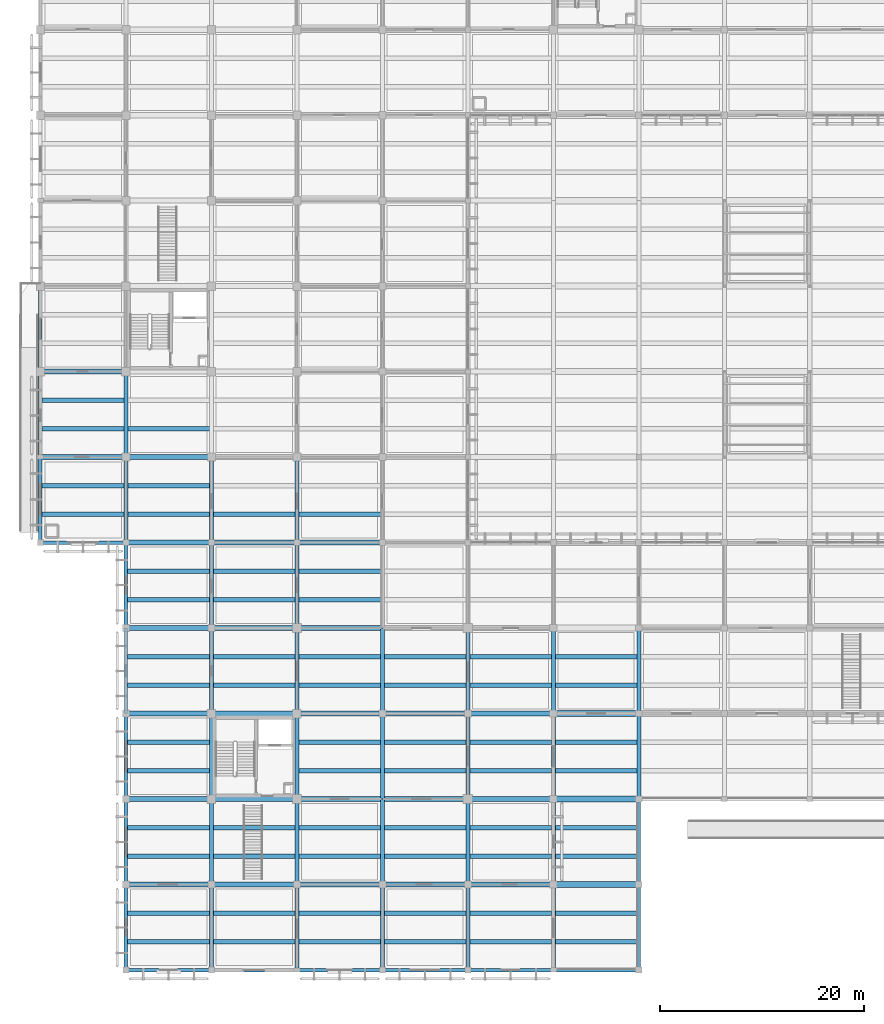
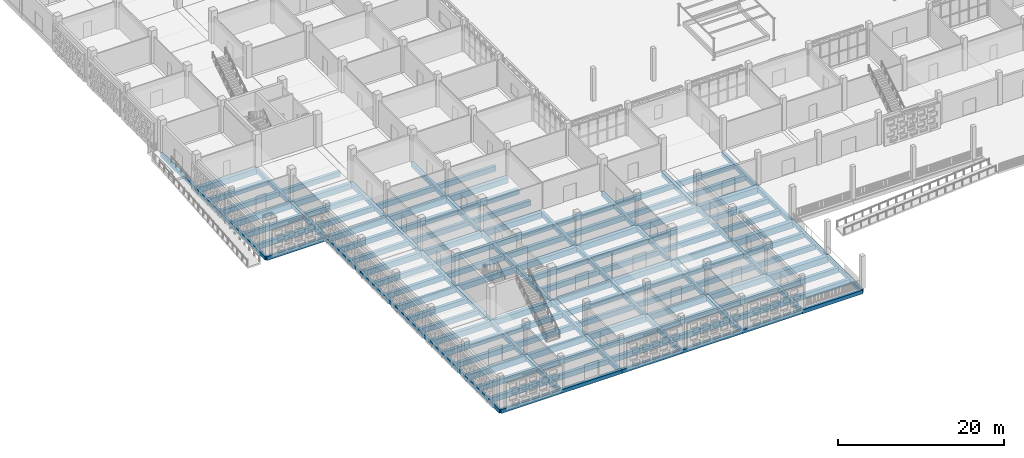
# One storey, part 4 of 129: 133 beams.
"""IFC4 building model written with IfcOpenShell, lengths in metres."""

import ifcopenshell
import ifcopenshell.guid

model = None  # the IFC model being written
_history = None  # IfcOwnerHistory: only IFC2X3 demands one
_inside = {}  # id of a spatial element -> (the spatial element, [elements in it])
_under = {}  # id of a project, library or spatial element -> (it, [spatial elements below it])
_declared = {}  # id of a project -> (the project, [libraries it declares])
_typed = {}  # id of a type object -> (the type object, [elements of that type])
_made_of = {}  # id of a material, layer set ... -> (it, [elements and type objects made of it])


def new_model(schema):
    """Start an empty IFC model of exactly this schema.

    Asked for "IFC4X3", IfcOpenShell would pick the latest addendum, in which some entities
    have other attributes; the version numbers below select the first issue.
    IFC2X3 requires an IfcOwnerHistory on every rooted entity: one is made here for all.
    """
    global model, _history
    if schema == "IFC4X3":
        model = ifcopenshell.file(schema_version=(4, 3, 0, 0))
    else:
        model = ifcopenshell.file(schema=schema)
    _inside.clear()
    _under.clear()
    _declared.clear()
    _typed.clear()
    _made_of.clear()
    _history = None
    if model.schema == "IFC2X3":
        org = make("IfcOrganization", Name="unknown")
        user = make(
            "IfcPersonAndOrganization",
            ThePerson=make("IfcPerson", FamilyName="unknown"),
            TheOrganization=org,
        )
        app = make(
            "IfcApplication",
            ApplicationDeveloper=org,
            Version="unknown",
            ApplicationFullName="unknown",
            ApplicationIdentifier="unknown",
        )
        _history = make(
            "IfcOwnerHistory",
            OwningUser=user,
            OwningApplication=app,
            ChangeAction="ADDED",
            CreationDate=0,
        )
    return model


def make(cls, **values):
    """One entity of the class cls with the attributes given. An attribute that is None is left unset."""
    return model.create_entity(
        cls, **{name: value for name, value in values.items() if value is not None}
    )


def rooted(cls, **values):
    """An entity with a GlobalId (a new one), such as an element, a storey or a relation."""
    return make(cls, GlobalId=ifcopenshell.guid.new(), OwnerHistory=_history, **values)


def si_unit(unit_type, name, prefix=None):
    """IfcSIUnit, for example si_unit("LENGTHUNIT", "METRE", prefix="MILLI")."""
    return make("IfcSIUnit", UnitType=unit_type, Prefix=prefix, Name=name)


def assignment(units):
    """IfcUnitAssignment: the units of a project."""
    return None if units is None else make("IfcUnitAssignment", Units=units)


def point(xyz):
    """IfcCartesianPoint."""
    return None if xyz is None else make("IfcCartesianPoint", Coordinates=xyz)


def direction(xyz):
    """IfcDirection."""
    return None if xyz is None else make("IfcDirection", DirectionRatios=xyz)


def frame(location, z_axis=None, x_axis=None):
    """IfcAxis2Placement3D, a coordinate frame: its origin and axes. An axis left out is left unset."""
    return make(
        "IfcAxis2Placement3D",
        Location=point(location),
        Axis=direction(z_axis),
        RefDirection=direction(x_axis),
    )


def frame_2d(location, x_axis=None):
    """IfcAxis2Placement2D, a coordinate frame in the plane: its origin and x axis."""
    return make(
        "IfcAxis2Placement2D", Location=point(location), RefDirection=direction(x_axis)
    )


def origin():
    """The frame at (0, 0, 0) with its axes left unset."""
    return frame((0.0, 0.0, 0.0))


def origin_2d():
    """The frame at (0, 0) in the plane with its x axis left unset."""
    return frame_2d((0.0, 0.0))


def place(relative_to, where):
    """IfcLocalPlacement: puts the frame where relative to a parent placement (None: the world)."""
    return make(
        "IfcLocalPlacement", PlacementRelTo=relative_to, RelativePlacement=where
    )


def context(
    kind, dimensions, precision=None, world=None, true_north=None, identifier=None
):
    """IfcGeometricRepresentationContext, for example the 3D "Model" context."""
    return make(
        "IfcGeometricRepresentationContext",
        ContextIdentifier=identifier,
        ContextType=kind,
        CoordinateSpaceDimension=dimensions,
        Precision=precision,
        WorldCoordinateSystem=world,
        TrueNorth=true_north,
    )


def subcontext(parent, identifier, kind, view, scale=None):
    """IfcGeometricRepresentationSubContext, for example "Body" below "Model"."""
    return make(
        "IfcGeometricRepresentationSubContext",
        ContextIdentifier=identifier,
        ContextType=kind,
        ParentContext=parent,
        TargetScale=scale,
        TargetView=view,
    )


def project(units=None, contexts=None):
    """IfcProject with its units and contexts."""
    return rooted(
        "IfcProject",
        Name="project",
        RepresentationContexts=contexts,
        UnitsInContext=assignment(units),
    )


def spatial(cls, under=None, at=None, **own):
    """A site, building, storey or space (cls), placed at a placement, below another one or the project."""
    s = rooted(cls, ObjectPlacement=at, **own)
    if under is not None:
        _under.setdefault(under.id(), (under, []))[1].append(s)
    return s


def profile(cls, at=None, kind="AREA", **sizes):
    """A parametric profile (cls). Its sizes go by their IFC names, for example OverallWidth=200.0."""
    return make(cls, ProfileType=kind, Position=at, **sizes)


def rectangle(**sizes):
    """IfcRectangleProfileDef."""
    return profile("IfcRectangleProfileDef", **sizes)


def extrude(swept, where, along, depth):
    """IfcExtrudedAreaSolid: the profile swept, set in the frame where, extruded along a direction by depth."""
    return make(
        "IfcExtrudedAreaSolid",
        SweptArea=swept,
        Position=where,
        ExtrudedDirection=direction(along),
        Depth=depth,
    )


def shape(context_of_items, identifier, shape_type, items):
    """IfcShapeRepresentation: the items that make up one representation, for example the "Body"."""
    return make(
        "IfcShapeRepresentation",
        ContextOfItems=context_of_items,
        RepresentationIdentifier=identifier,
        RepresentationType=shape_type,
        Items=items,
    )


def material(Name=None, Category=None):
    """IfcMaterial."""
    return make("IfcMaterial", Name=Name, Category=Category)


def material_profile(
    of_material, cross_section, Name=None, Category=None, Priority=None
):
    """IfcMaterialProfile: a cross section and its material."""
    return make(
        "IfcMaterialProfile",
        Name=Name,
        Material=of_material,
        Profile=cross_section,
        Priority=Priority,
        Category=Category,
    )


def profile_set(profiles, Name=None, composite=None):
    """IfcMaterialProfileSet."""
    return make(
        "IfcMaterialProfileSet",
        Name=Name,
        MaterialProfiles=profiles,
        CompositeProfile=composite,
    )


def made_of(thing, what):
    """Note that an element or type object is made of a material, layer set ...; save() writes the relation."""
    if what is not None:
        _made_of.setdefault(what.id(), (what, []))[1].append(thing)
    return thing


def type_object(cls, material=None, **own):
    """A type object (cls), such as IfcWallType, which elements share."""
    return made_of(rooted(cls, **own), material)


def element(
    cls,
    number,
    at=None,
    inside=None,
    cuts=None,
    type_object=None,
    material=None,
    context=None,
    identifier="Body",
    shape_type=None,
    held_by="IfcProductDefinitionShape",
    body=None,
    shapes=None,
    **own,
):
    """One element of the class cls, such as IfcWall. Its Tag is "e" and its number.

    at: its placement. inside: the storey or other place that contains it. cuts: it is an
    opening in that element (IfcRelVoidsElement). A single representation is given by context,
    identifier, shape_type and body (its items); several are given by shapes. held_by: the class
    of the entity that holds the representations. save() writes the other relations.
    """
    e = rooted(cls, Tag="e%d" % number, ObjectPlacement=at, **own)
    if body is not None:
        shapes = [shape(context, identifier, shape_type, body)]
    if shapes is not None:
        e.Representation = make(held_by, Representations=shapes)
    if inside is not None:
        _inside.setdefault(inside.id(), (inside, []))[1].append(e)
    if cuts is not None:
        rooted(
            "IfcRelVoidsElement", RelatingBuildingElement=cuts, RelatedOpeningElement=e
        )
    if type_object is not None:
        _typed.setdefault(type_object.id(), (type_object, []))[1].append(e)
    return made_of(e, material)


def aggregate(whole, parts):
    """IfcRelAggregates: a whole, such as a stair, and the parts it consists of."""
    return rooted("IfcRelAggregates", RelatingObject=whole, RelatedObjects=parts)


def save(model, path):
    """Write the relations noted so far, then the file.

    IfcRelAggregates (storeys below a building ...), IfcRelContainedInSpatialStructure (elements
    in a storey), IfcRelDefinesByType, IfcRelAssociatesMaterial and IfcRelDeclares: one each for
    every whole, place, type object, material and project.
    """
    for whole, parts in _under.values():
        aggregate(whole, parts)
    for where, things in _inside.values():
        rooted(
            "IfcRelContainedInSpatialStructure",
            RelatedElements=things,
            RelatingStructure=where,
        )
    for kind, things in _typed.values():
        rooted("IfcRelDefinesByType", RelatedObjects=things, RelatingType=kind)
    for what, things in _made_of.values():
        rooted("IfcRelAssociatesMaterial", RelatedObjects=things, RelatingMaterial=what)
    for by, libraries in _declared.values():
        rooted("IfcRelDeclares", RelatingContext=by, RelatedDefinitions=libraries)
    model.write(path)


model = new_model("IFC4")

# Units and contexts
model_context = context("Model", 3, precision=1e-05, world=origin(), true_north=direction((0.0, 1.0)))
body_context = subcontext(model_context, "Body", "Model", "MODEL_VIEW")
ifc_project = project(units=[si_unit("LENGTHUNIT", "METRE"), si_unit("AREAUNIT", "SQUARE_METRE"), si_unit("VOLUMEUNIT", "CUBIC_METRE"), si_unit("PLANEANGLEUNIT", "RADIAN"), si_unit("MASSUNIT", "GRAM", prefix="KILO")], contexts=[model_context])

# Site, building, storey
site_placement = place(None, origin())
site = spatial("IfcSite", under=ifc_project, at=site_placement, CompositionType="ELEMENT")
building_placement = place(site_placement, origin())
building = spatial("IfcBuilding", under=site, at=building_placement, Name="Varnapada Polytechnic", CompositionType="ELEMENT")
storey_placement = place(building_placement, origin())
storey = spatial("IfcBuildingStorey", under=building, at=storey_placement, Name="L00", CompositionType="ELEMENT", Elevation=0.0)

# Beams
ifc_material = material(Name="Concrete C40/50", Category="concrete")
ifc_material_profile_1 = material_profile(ifc_material, rectangle(XDim=0.449951171875, YDim=0.75, at=origin_2d()), Name="RC 450x750")
ifc_profile_set_1 = profile_set([ifc_material_profile_1], Name="Concrete C40/50")
beam_type_1 = type_object("IfcBeamType", Name="Basement/podium secondary beam BB-01 (RC 450x750)", PredefinedType="BEAM", material=ifc_profile_set_1)
for number, where, z_axis, x_axis, name in (
    (1, (0.080078125, 44.800048828125, -0.675048828125), (1.0, 0.0, 0.0), (0.0, 1.0, 0.0), "L00 floor joist 1/6.1"),
    (2, (0.080078125, 47.60009765625, -0.675048828125), (1.0, 0.0, 0.0), (0.0, 1.0, 0.0), "L00 floor joist 1/6.2"),
    (3, (0.080078125, 53.199951171875, -0.675048828125), (1.0, 0.0, 0.0), (0.0, 1.0, 0.0), "L00 floor joist 1/7.1"),
    (4, (0.080078125, 56.0, -0.675048828125), (1.0, 0.0, 0.0), (0.0, 1.0, 0.0), "L00 floor joist 1/7.2"),
    (5, (8.47998046875, 2.800048828125, -0.675048828125), (1.0, 0.0, 0.0), (0.0, 1.0, 0.0), "L00 floor joist 2/1.1"),
    (6, (8.47998046875, 5.60009765625, -0.675048828125), (1.0, 0.0, 0.0), (0.0, 1.0, 0.0), "L00 floor joist 2/1.2"),
    (7, (8.47998046875, 11.199951171875, -0.675048828125), (1.0, 0.0, 0.0), (0.0, 1.0, 0.0), "L00 floor joist 2/2.1"),
    (8, (8.47998046875, 14.0, -0.675048828125), (1.0, 0.0, 0.0), (0.0, 1.0, 0.0), "L00 floor joist 2/2.2"),
    (9, (8.47998046875, 19.60009765625, -0.675048828125), (1.0, 0.0, 0.0), (0.0, 1.0, 0.0), "L00 floor joist 2/3.1"),
    (10, (8.47998046875, 22.39990234375, -0.675048828125), (1.0, 0.0, 0.0), (0.0, 1.0, 0.0), "L00 floor joist 2/3.2"),
    (11, (8.47998046875, 28.0, -0.675048828125), (1.0, 0.0, 0.0), (0.0, 1.0, 0.0), "L00 floor joist 2/4.1"),
    (12, (8.47998046875, 30.800048828125, -0.675048828125), (1.0, 0.0, 0.0), (0.0, 1.0, 0.0), "L00 floor joist 2/4.2"),
    (13, (8.47998046875, 36.39990234375, -0.675048828125), (1.0, 0.0, 0.0), (0.0, 1.0, 0.0), "L00 floor joist 2/5.1"),
    (14, (8.47998046875, 39.199951171875, -0.675048828125), (1.0, 0.0, 0.0), (0.0, 1.0, 0.0), "L00 floor joist 2/5.2"),
    (15, (8.47998046875, 44.800048828125, -0.675048828125), (1.0, 0.0, 0.0), (0.0, 1.0, 0.0), "L00 floor joist 2/6.1"),
    (16, (8.47998046875, 47.60009765625, -0.675048828125), (1.0, 0.0, 0.0), (0.0, 1.0, 0.0), "L00 floor joist 2/6.2"),
    (17, (8.47998046875, 53.199951171875, -0.675048828125), (1.0, 0.0, 0.0), (0.0, 1.0, 0.0), "L00 floor joist 2/7.1"),
):
    element("IfcBeam", number, at=place(storey_placement, frame(where, z_axis=z_axis, x_axis=x_axis)), inside=storey, type_object=beam_type_1, Name=name, PredefinedType="BEAM", context=body_context, shape_type="SweptSolid", body=[
        extrude(rectangle(XDim=0.449951171875, YDim=0.75, at=origin_2d()), origin(), (0.0, 0.0, 1.0), 8.239990234375),
    ])
for number, where, z_axis, x_axis, name in (
    (18, (16.8798828125, 2.800048828125, -0.675048828125), (1.0, 0.0, 0.0), (0.0, 1.0, 0.0), "L00 floor joist 3/1.1"),
    (19, (16.8798828125, 5.60009765625, -0.675048828125), (1.0, 0.0, 0.0), (0.0, 1.0, 0.0), "L00 floor joist 3/1.2"),
    (20, (16.8798828125, 11.199951171875, -0.675048828125), (1.0, 0.0, 0.0), (0.0, 1.0, 0.0), "L00 floor joist 3/2.1"),
    (21, (16.8798828125, 14.0, -0.675048828125), (1.0, 0.0, 0.0), (0.0, 1.0, 0.0), "L00 floor joist 3/2.2"),
    (22, (16.8798828125, 28.0, -0.675048828125), (1.0, 0.0, 0.0), (0.0, 1.0, 0.0), "L00 floor joist 3/4.1"),
    (23, (16.8798828125, 30.800048828125, -0.675048828125), (1.0, 0.0, 0.0), (0.0, 1.0, 0.0), "L00 floor joist 3/4.2"),
    (24, (16.8798828125, 36.39990234375, -0.675048828125), (1.0, 0.0, 0.0), (0.0, 1.0, 0.0), "L00 floor joist 3/5.1"),
    (25, (16.8798828125, 39.199951171875, -0.675048828125), (1.0, 0.0, 0.0), (0.0, 1.0, 0.0), "L00 floor joist 3/5.2"),
    (26, (16.8798828125, 44.800048828125, -0.675048828125), (1.0, 0.0, 0.0), (0.0, 1.0, 0.0), "L00 floor joist 3/6.1"),
):
    element("IfcBeam", number, at=place(storey_placement, frame(where, z_axis=z_axis, x_axis=x_axis)), inside=storey, type_object=beam_type_1, Name=name, PredefinedType="BEAM", context=body_context, shape_type="SweptSolid", body=[
        extrude(rectangle(XDim=0.449951171875, YDim=0.75, at=origin_2d()), origin(), (0.0, 0.0, 1.0), 8.240234375),
    ])
for number, where, z_axis, x_axis, name in (
    (27, (25.280029296875, 2.800048828125, -0.675048828125), (1.0, 0.0, 0.0), (0.0, 1.0, 0.0), "L00 floor joist 4/1.1"),
    (28, (25.280029296875, 5.60009765625, -0.675048828125), (1.0, 0.0, 0.0), (0.0, 1.0, 0.0), "L00 floor joist 4/1.2"),
    (29, (25.280029296875, 11.199951171875, -0.675048828125), (1.0, 0.0, 0.0), (0.0, 1.0, 0.0), "L00 floor joist 4/2.1"),
    (30, (25.280029296875, 14.0, -0.675048828125), (1.0, 0.0, 0.0), (0.0, 1.0, 0.0), "L00 floor joist 4/2.2"),
    (31, (25.280029296875, 19.60009765625, -0.675048828125), (1.0, 0.0, 0.0), (0.0, 1.0, 0.0), "L00 floor joist 4/3.1"),
    (32, (25.280029296875, 22.39990234375, -0.675048828125), (1.0, 0.0, 0.0), (0.0, 1.0, 0.0), "L00 floor joist 4/3.2"),
    (33, (25.280029296875, 28.0, -0.675048828125), (1.0, 0.0, 0.0), (0.0, 1.0, 0.0), "L00 floor joist 4/4.1"),
    (34, (25.280029296875, 30.800048828125, -0.675048828125), (1.0, 0.0, 0.0), (0.0, 1.0, 0.0), "L00 floor joist 4/4.2"),
    (35, (25.280029296875, 36.39990234375, -0.675048828125), (1.0, 0.0, 0.0), (0.0, 1.0, 0.0), "L00 floor joist 4/5.1"),
    (36, (25.280029296875, 39.199951171875, -0.675048828125), (1.0, 0.0, 0.0), (0.0, 1.0, 0.0), "L00 floor joist 4/5.2"),
    (37, (25.280029296875, 44.800048828125, -0.675048828125), (1.0, 0.0, 0.0), (0.0, 1.0, 0.0), "L00 floor joist 4/6.1"),
    (38, (33.679931640625, 2.800048828125, -0.675048828125), (1.0, 0.0, 0.0), (0.0, 1.0, 0.0), "L00 floor joist 5/1.1"),
    (39, (33.679931640625, 5.60009765625, -0.675048828125), (1.0, 0.0, 0.0), (0.0, 1.0, 0.0), "L00 floor joist 5/1.2"),
    (40, (33.679931640625, 11.199951171875, -0.675048828125), (1.0, 0.0, 0.0), (0.0, 1.0, 0.0), "L00 floor joist 5/2.1"),
    (41, (33.679931640625, 14.0, -0.675048828125), (1.0, 0.0, 0.0), (0.0, 1.0, 0.0), "L00 floor joist 5/2.2"),
    (42, (33.679931640625, 19.60009765625, -0.675048828125), (1.0, 0.0, 0.0), (0.0, 1.0, 0.0), "L00 floor joist 5/3.1"),
    (43, (33.679931640625, 22.39990234375, -0.675048828125), (1.0, 0.0, 0.0), (0.0, 1.0, 0.0), "L00 floor joist 5/3.2"),
    (44, (33.679931640625, 28.0, -0.675048828125), (1.0, 0.0, 0.0), (0.0, 1.0, 0.0), "L00 floor joist 5/4.1"),
    (45, (33.679931640625, 30.800048828125, -0.675048828125), (1.0, 0.0, 0.0), (0.0, 1.0, 0.0), "L00 floor joist 5/4.2"),
    (46, (42.080078125, 2.800048828125, -0.675048828125), (1.0, 0.0, 0.0), (0.0, 1.0, 0.0), "L00 floor joist 6/1.1"),
    (47, (42.080078125, 5.60009765625, -0.675048828125), (1.0, 0.0, 0.0), (0.0, 1.0, 0.0), "L00 floor joist 6/1.2"),
    (48, (42.080078125, 11.199951171875, -0.675048828125), (1.0, 0.0, 0.0), (0.0, 1.0, 0.0), "L00 floor joist 6/2.1"),
    (49, (42.080078125, 14.0, -0.675048828125), (1.0, 0.0, 0.0), (0.0, 1.0, 0.0), "L00 floor joist 6/2.2"),
    (50, (42.080078125, 19.60009765625, -0.675048828125), (1.0, 0.0, 0.0), (0.0, 1.0, 0.0), "L00 floor joist 6/3.1"),
    (51, (42.080078125, 22.39990234375, -0.675048828125), (1.0, 0.0, 0.0), (0.0, 1.0, 0.0), "L00 floor joist 6/3.2"),
    (52, (42.080078125, 28.0, -0.675048828125), (1.0, 0.0, 0.0), (0.0, 1.0, 0.0), "L00 floor joist 6/4.1"),
    (53, (42.080078125, 30.800048828125, -0.675048828125), (1.0, 0.0, 0.0), (0.0, 1.0, 0.0), "L00 floor joist 6/4.2"),
    (54, (50.47998046875, 2.800048828125, -0.675048828125), (1.0, 0.0, 0.0), (0.0, 1.0, 0.0), "L00 floor joist 7/1.1"),
    (55, (50.47998046875, 5.60009765625, -0.675048828125), (1.0, 0.0, 0.0), (0.0, 1.0, 0.0), "L00 floor joist 7/1.2"),
    (56, (50.47998046875, 11.199951171875, -0.675048828125), (1.0, 0.0, 0.0), (0.0, 1.0, 0.0), "L00 floor joist 7/2.1"),
    (57, (50.47998046875, 14.0, -0.675048828125), (1.0, 0.0, 0.0), (0.0, 1.0, 0.0), "L00 floor joist 7/2.2"),
    (58, (50.47998046875, 19.60009765625, -0.675048828125), (1.0, 0.0, 0.0), (0.0, 1.0, 0.0), "L00 floor joist 7/3.1"),
    (59, (50.47998046875, 22.39990234375, -0.675048828125), (1.0, 0.0, 0.0), (0.0, 1.0, 0.0), "L00 floor joist 7/3.2"),
    (60, (50.47998046875, 28.0, -0.675048828125), (1.0, 0.0, 0.0), (0.0, 1.0, 0.0), "L00 floor joist 7/4.1"),
    (61, (50.47998046875, 30.800048828125, -0.675048828125), (1.0, 0.0, 0.0), (0.0, 1.0, 0.0), "L00 floor joist 7/4.2"),
):
    element("IfcBeam", number, at=place(storey_placement, frame(where, z_axis=z_axis, x_axis=x_axis)), inside=storey, type_object=beam_type_1, Name=name, PredefinedType="BEAM", context=body_context, shape_type="SweptSolid", body=[
        extrude(rectangle(XDim=0.449951171875, YDim=0.75, at=origin_2d()), origin(), (0.0, 0.0, 1.0), 8.239990234375),
    ])
ifc_material_profile_2 = material_profile(ifc_material, rectangle(XDim=0.35009765625, YDim=0.550048828125, at=origin_2d()), Name="RC 350x550")
ifc_profile_set_2 = profile_set([ifc_material_profile_2], Name="Concrete C40/50")
beam_type_2 = type_object("IfcBeamType", Name="Concrete podium spandrel beam SP-01 (RC 350x550)", PredefinedType="SPANDREL", material=ifc_profile_set_2)
beam_1_placement = place(storey_placement, frame((0.0, 42.0, -0.574951171875), z_axis=(1.0, 0.0, 0.0), x_axis=(0.0, 1.0, 0.0)))
element("IfcBeam", 62, at=beam_1_placement, inside=storey, type_object=beam_type_2, Name="L00 beam X 1-2 at Y6", PredefinedType="SPANDREL", context=body_context, shape_type="SweptSolid", body=[
    extrude(rectangle(XDim=0.35009765625, YDim=0.550048828125, at=origin_2d()), origin(), (0.0, 0.0, 1.0), 8.39990234375),
])
beam_2_placement = place(storey_placement, frame((8.39990234375, 0.0, -0.574951171875), z_axis=(1.0, 0.0, 0.0), x_axis=(0.0, 1.0, 0.0)))
element("IfcBeam", 63, at=beam_2_placement, inside=storey, type_object=beam_type_2, Name="L00 beam X 2-3 at Y1", PredefinedType="SPANDREL", context=body_context, shape_type="SweptSolid", body=[
    extrude(rectangle(XDim=0.35009765625, YDim=0.550048828125, at=origin_2d()), origin(), (0.0, 0.0, 1.0), 8.400146484375),
])
beam_3_placement = place(storey_placement, frame((16.800048828125, 0.0, -0.574951171875), z_axis=(1.0, 0.0, 0.0), x_axis=(0.0, 1.0, 0.0)))
element("IfcBeam", 64, at=beam_3_placement, inside=storey, type_object=beam_type_2, Name="L00 beam X 3-4 at Y1", PredefinedType="SPANDREL", context=body_context, shape_type="SweptSolid", body=[
    extrude(rectangle(XDim=0.35009765625, YDim=0.550048828125, at=origin_2d()), origin(), (0.0, 0.0, 1.0), 8.39990234375),
])
beam_4_placement = place(storey_placement, frame((25.199951171875, 0.0, -0.574951171875), z_axis=(1.0, 0.0, 0.0), x_axis=(0.0, 1.0, 0.0)))
element("IfcBeam", 65, at=beam_4_placement, inside=storey, type_object=beam_type_2, Name="L00 beam X 4-5 at Y1", PredefinedType="SPANDREL", context=body_context, shape_type="SweptSolid", body=[
    extrude(rectangle(XDim=0.35009765625, YDim=0.550048828125, at=origin_2d()), origin(), (0.0, 0.0, 1.0), 8.400146484375),
])
for number, where, z_axis, x_axis, name in (
    (66, (33.60009765625, 0.0, -0.574951171875), (1.0, 0.0, 0.0), (0.0, 1.0, 0.0), "L00 beam X 5-6 at Y1"),
    (67, (42.0, 0.0, -0.574951171875), (1.0, 0.0, 0.0), (0.0, 1.0, 0.0), "L00 beam X 6-7 at Y1"),
):
    element("IfcBeam", number, at=place(storey_placement, frame(where, z_axis=z_axis, x_axis=x_axis)), inside=storey, type_object=beam_type_2, Name=name, PredefinedType="SPANDREL", context=body_context, shape_type="SweptSolid", body=[
        extrude(rectangle(XDim=0.35009765625, YDim=0.550048828125, at=origin_2d()), origin(), (0.0, 0.0, 1.0), 8.39990234375),
    ])
beam_5_placement = place(storey_placement, frame((50.39990234375, 0.0, -0.574951171875), z_axis=(1.0, 0.0, 0.0), x_axis=(0.0, 1.0, 0.0)))
element("IfcBeam", 68, at=beam_5_placement, inside=storey, type_object=beam_type_2, Name="L00 beam X 7-8 at Y1", PredefinedType="SPANDREL", context=body_context, shape_type="SweptSolid", body=[
    extrude(rectangle(XDim=0.35009765625, YDim=0.550048828125, at=origin_2d()), origin(), (0.0, 0.0, 1.0), 8.400146484375),
])
beam_6_placement = place(storey_placement, frame((0.0, 42.0, -0.574951171875), z_axis=(0.0, 1.0, 0.0), x_axis=(-1.0, 0.0, 0.0)))
element("IfcBeam", 69, at=beam_6_placement, inside=storey, type_object=beam_type_2, Name="L00 beam Y 6-7 at X1", PredefinedType="SPANDREL", context=body_context, shape_type="SweptSolid", body=[
    extrude(rectangle(XDim=0.35009765625, YDim=0.550048828125, at=origin_2d()), origin(), (0.0, 0.0, 1.0), 8.39990234375),
])
beam_7_placement = place(storey_placement, frame((0.0, 50.39990234375, -0.574951171875), z_axis=(0.0, 1.0, 0.0), x_axis=(-1.0, 0.0, 0.0)))
element("IfcBeam", 70, at=beam_7_placement, inside=storey, type_object=beam_type_2, Name="L00 beam Y 7-8 at X1", PredefinedType="SPANDREL", context=body_context, shape_type="SweptSolid", body=[
    extrude(rectangle(XDim=0.35009765625, YDim=0.550048828125, at=origin_2d()), origin(), (0.0, 0.0, 1.0), 8.400146484375),
])
for number, where, z_axis, x_axis, name in (
    (71, (0.0, 58.800048828125, -0.574951171875), (0.0, 1.0, 0.0), (-1.0, 0.0, 0.0), "L00 beam Y 8-9 at X1"),
    (72, (8.39990234375, 0.0, -0.574951171875), (0.0, 1.0, 0.0), (-1.0, 0.0, 0.0), "L00 beam Y 1-2 at X2"),
):
    element("IfcBeam", number, at=place(storey_placement, frame(where, z_axis=z_axis, x_axis=x_axis)), inside=storey, type_object=beam_type_2, Name=name, PredefinedType="SPANDREL", context=body_context, shape_type="SweptSolid", body=[
        extrude(rectangle(XDim=0.35009765625, YDim=0.550048828125, at=origin_2d()), origin(), (0.0, 0.0, 1.0), 8.39990234375),
    ])
beam_8_placement = place(storey_placement, frame((8.39990234375, 8.39990234375, -0.574951171875), z_axis=(0.0, 1.0, 0.0), x_axis=(-1.0, 0.0, 0.0)))
element("IfcBeam", 73, at=beam_8_placement, inside=storey, type_object=beam_type_2, Name="L00 beam Y 2-3 at X2", PredefinedType="SPANDREL", context=body_context, shape_type="SweptSolid", body=[
    extrude(rectangle(XDim=0.35009765625, YDim=0.550048828125, at=origin_2d()), origin(), (0.0, 0.0, 1.0), 8.400146484375),
])
beam_9_placement = place(storey_placement, frame((8.39990234375, 16.800048828125, -0.574951171875), z_axis=(0.0, 1.0, 0.0), x_axis=(-1.0, 0.0, 0.0)))
element("IfcBeam", 74, at=beam_9_placement, inside=storey, type_object=beam_type_2, Name="L00 beam Y 3-4 at X2", PredefinedType="SPANDREL", context=body_context, shape_type="SweptSolid", body=[
    extrude(rectangle(XDim=0.35009765625, YDim=0.550048828125, at=origin_2d()), origin(), (0.0, 0.0, 1.0), 8.39990234375),
])
beam_10_placement = place(storey_placement, frame((8.39990234375, 25.199951171875, -0.574951171875), z_axis=(0.0, 1.0, 0.0), x_axis=(-1.0, 0.0, 0.0)))
element("IfcBeam", 75, at=beam_10_placement, inside=storey, type_object=beam_type_2, Name="L00 beam Y 4-5 at X2", PredefinedType="SPANDREL", context=body_context, shape_type="SweptSolid", body=[
    extrude(rectangle(XDim=0.35009765625, YDim=0.550048828125, at=origin_2d()), origin(), (0.0, 0.0, 1.0), 8.400146484375),
])
for number, where, z_axis, x_axis, name in (
    (76, (8.39990234375, 33.60009765625, -0.574951171875), (0.0, 1.0, 0.0), (-1.0, 0.0, 0.0), "L00 beam Y 5-6 at X2"),
    (77, (58.800048828125, 0.0, -0.554931640625), (0.0, 1.0, 0.0), (-1.0, 0.0, 0.0), "L00 beam Y 1-2 at X8"),
):
    element("IfcBeam", number, at=place(storey_placement, frame(where, z_axis=z_axis, x_axis=x_axis)), inside=storey, type_object=beam_type_2, Name=name, PredefinedType="SPANDREL", context=body_context, shape_type="SweptSolid", body=[
        extrude(rectangle(XDim=0.35009765625, YDim=0.550048828125, at=origin_2d()), origin(), (0.0, 0.0, 1.0), 8.39990234375),
    ])
beam_11_placement = place(storey_placement, frame((58.800048828125, 8.39990234375, -0.554931640625), z_axis=(0.0, 1.0, 0.0), x_axis=(-1.0, 0.0, 0.0)))
element("IfcBeam", 78, at=beam_11_placement, inside=storey, type_object=beam_type_2, Name="L00 beam Y 2-3 at X8", PredefinedType="SPANDREL", context=body_context, shape_type="SweptSolid", body=[
    extrude(rectangle(XDim=0.35009765625, YDim=0.550048828125, at=origin_2d()), origin(), (0.0, 0.0, 1.0), 8.400146484375),
])
ifc_material_profile_3 = material_profile(ifc_material, rectangle(XDim=0.39990234375, YDim=0.64990234375, at=origin_2d()), Name="RC 400x650")
ifc_profile_set_3 = profile_set([ifc_material_profile_3], Name="Concrete C40/50")
beam_type_3 = type_object("IfcBeamType", Name="Podium framing beam BB-02 (RC 400x650)", PredefinedType="BEAM", material=ifc_profile_set_3)
beam_12_placement = place(storey_placement, frame((8.39990234375, 42.0, -0.625), z_axis=(0.0, 1.0, 0.0), x_axis=(-1.0, 0.0, 0.0)))
element("IfcBeam", 79, at=beam_12_placement, inside=storey, type_object=beam_type_3, Name="L00 beam Y 6-7 at X2", PredefinedType="BEAM", context=body_context, shape_type="SweptSolid", body=[
    extrude(rectangle(XDim=0.39990234375, YDim=0.64990234375, at=origin_2d()), origin(), (0.0, 0.0, 1.0), 8.39990234375),
])
beam_13_placement = place(storey_placement, frame((8.39990234375, 50.39990234375, -0.625), z_axis=(0.0, 1.0, 0.0), x_axis=(-1.0, 0.0, 0.0)))
element("IfcBeam", 80, at=beam_13_placement, inside=storey, type_object=beam_type_3, Name="L00 beam Y 7-8 at X2", PredefinedType="BEAM", context=body_context, shape_type="SweptSolid", body=[
    extrude(rectangle(XDim=0.39990234375, YDim=0.64990234375, at=origin_2d()), origin(), (0.0, 0.0, 1.0), 8.400146484375),
])
beam_14_placement = place(storey_placement, frame((16.800048828125, 0.0, -0.625), z_axis=(0.0, 1.0, 0.0), x_axis=(-1.0, 0.0, 0.0)))
element("IfcBeam", 81, at=beam_14_placement, inside=storey, type_object=beam_type_3, Name="L00 beam Y 1-2 at X3", PredefinedType="BEAM", context=body_context, shape_type="SweptSolid", body=[
    extrude(rectangle(XDim=0.39990234375, YDim=0.64990234375, at=origin_2d()), origin(), (0.0, 0.0, 1.0), 8.39990234375),
])
beam_15_placement = place(storey_placement, frame((16.800048828125, 8.39990234375, -0.625), z_axis=(0.0, 1.0, 0.0), x_axis=(-1.0, 0.0, 0.0)))
element("IfcBeam", 82, at=beam_15_placement, inside=storey, type_object=beam_type_3, Name="L00 beam Y 2-3 at X3", PredefinedType="BEAM", context=body_context, shape_type="SweptSolid", body=[
    extrude(rectangle(XDim=0.39990234375, YDim=0.64990234375, at=origin_2d()), origin(), (0.0, 0.0, 1.0), 8.400146484375),
])
beam_16_placement = place(storey_placement, frame((16.800048828125, 16.800048828125, -0.625), z_axis=(0.0, 1.0, 0.0), x_axis=(-1.0, 0.0, 0.0)))
element("IfcBeam", 83, at=beam_16_placement, inside=storey, type_object=beam_type_3, Name="L00 beam Y 3-4 at X3", PredefinedType="BEAM", context=body_context, shape_type="SweptSolid", body=[
    extrude(rectangle(XDim=0.39990234375, YDim=0.64990234375, at=origin_2d()), origin(), (0.0, 0.0, 1.0), 8.39990234375),
])
beam_17_placement = place(storey_placement, frame((16.800048828125, 25.199951171875, -0.625), z_axis=(0.0, 1.0, 0.0), x_axis=(-1.0, 0.0, 0.0)))
element("IfcBeam", 84, at=beam_17_placement, inside=storey, type_object=beam_type_3, Name="L00 beam Y 4-5 at X3", PredefinedType="BEAM", context=body_context, shape_type="SweptSolid", body=[
    extrude(rectangle(XDim=0.39990234375, YDim=0.64990234375, at=origin_2d()), origin(), (0.0, 0.0, 1.0), 8.400146484375),
])
for number, where, z_axis, x_axis, name in (
    (85, (16.800048828125, 33.60009765625, -0.625), (0.0, 1.0, 0.0), (-1.0, 0.0, 0.0), "L00 beam Y 5-6 at X3"),
    (86, (16.800048828125, 42.0, -0.625), (0.0, 1.0, 0.0), (-1.0, 0.0, 0.0), "L00 beam Y 6-7 at X3"),
    (87, (25.199951171875, 0.0, -0.625), (0.0, 1.0, 0.0), (-1.0, 0.0, 0.0), "L00 beam Y 1-2 at X4"),
):
    element("IfcBeam", number, at=place(storey_placement, frame(where, z_axis=z_axis, x_axis=x_axis)), inside=storey, type_object=beam_type_3, Name=name, PredefinedType="BEAM", context=body_context, shape_type="SweptSolid", body=[
        extrude(rectangle(XDim=0.39990234375, YDim=0.64990234375, at=origin_2d()), origin(), (0.0, 0.0, 1.0), 8.39990234375),
    ])
beam_18_placement = place(storey_placement, frame((25.199951171875, 8.39990234375, -0.625), z_axis=(0.0, 1.0, 0.0), x_axis=(-1.0, 0.0, 0.0)))
element("IfcBeam", 88, at=beam_18_placement, inside=storey, type_object=beam_type_3, Name="L00 beam Y 2-3 at X4", PredefinedType="BEAM", context=body_context, shape_type="SweptSolid", body=[
    extrude(rectangle(XDim=0.39990234375, YDim=0.64990234375, at=origin_2d()), origin(), (0.0, 0.0, 1.0), 8.400146484375),
])
beam_19_placement = place(storey_placement, frame((25.199951171875, 16.800048828125, -0.625), z_axis=(0.0, 1.0, 0.0), x_axis=(-1.0, 0.0, 0.0)))
element("IfcBeam", 89, at=beam_19_placement, inside=storey, type_object=beam_type_3, Name="L00 beam Y 3-4 at X4", PredefinedType="BEAM", context=body_context, shape_type="SweptSolid", body=[
    extrude(rectangle(XDim=0.39990234375, YDim=0.64990234375, at=origin_2d()), origin(), (0.0, 0.0, 1.0), 8.39990234375),
])
beam_20_placement = place(storey_placement, frame((25.199951171875, 25.199951171875, -0.625), z_axis=(0.0, 1.0, 0.0), x_axis=(-1.0, 0.0, 0.0)))
element("IfcBeam", 90, at=beam_20_placement, inside=storey, type_object=beam_type_3, Name="L00 beam Y 4-5 at X4", PredefinedType="BEAM", context=body_context, shape_type="SweptSolid", body=[
    extrude(rectangle(XDim=0.39990234375, YDim=0.64990234375, at=origin_2d()), origin(), (0.0, 0.0, 1.0), 8.400146484375),
])
for number, where, z_axis, x_axis, name in (
    (91, (25.199951171875, 33.60009765625, -0.625), (0.0, 1.0, 0.0), (-1.0, 0.0, 0.0), "L00 beam Y 5-6 at X4"),
    (92, (25.199951171875, 42.0, -0.625), (0.0, 1.0, 0.0), (-1.0, 0.0, 0.0), "L00 beam Y 6-7 at X4"),
    (93, (33.60009765625, 0.0, -0.625), (0.0, 1.0, 0.0), (-1.0, 0.0, 0.0), "L00 beam Y 1-2 at X5"),
):
    element("IfcBeam", number, at=place(storey_placement, frame(where, z_axis=z_axis, x_axis=x_axis)), inside=storey, type_object=beam_type_3, Name=name, PredefinedType="BEAM", context=body_context, shape_type="SweptSolid", body=[
        extrude(rectangle(XDim=0.39990234375, YDim=0.64990234375, at=origin_2d()), origin(), (0.0, 0.0, 1.0), 8.39990234375),
    ])
beam_21_placement = place(storey_placement, frame((33.60009765625, 8.39990234375, -0.625), z_axis=(0.0, 1.0, 0.0), x_axis=(-1.0, 0.0, 0.0)))
element("IfcBeam", 94, at=beam_21_placement, inside=storey, type_object=beam_type_3, Name="L00 beam Y 2-3 at X5", PredefinedType="BEAM", context=body_context, shape_type="SweptSolid", body=[
    extrude(rectangle(XDim=0.39990234375, YDim=0.64990234375, at=origin_2d()), origin(), (0.0, 0.0, 1.0), 8.400146484375),
])
beam_22_placement = place(storey_placement, frame((33.60009765625, 16.800048828125, -0.625), z_axis=(0.0, 1.0, 0.0), x_axis=(-1.0, 0.0, 0.0)))
element("IfcBeam", 95, at=beam_22_placement, inside=storey, type_object=beam_type_3, Name="L00 beam Y 3-4 at X5", PredefinedType="BEAM", context=body_context, shape_type="SweptSolid", body=[
    extrude(rectangle(XDim=0.39990234375, YDim=0.64990234375, at=origin_2d()), origin(), (0.0, 0.0, 1.0), 8.39990234375),
])
beam_23_placement = place(storey_placement, frame((33.60009765625, 25.199951171875, -0.625), z_axis=(0.0, 1.0, 0.0), x_axis=(-1.0, 0.0, 0.0)))
element("IfcBeam", 96, at=beam_23_placement, inside=storey, type_object=beam_type_3, Name="L00 beam Y 4-5 at X5", PredefinedType="BEAM", context=body_context, shape_type="SweptSolid", body=[
    extrude(rectangle(XDim=0.39990234375, YDim=0.64990234375, at=origin_2d()), origin(), (0.0, 0.0, 1.0), 8.400146484375),
])
beam_24_placement = place(storey_placement, frame((42.0, 0.0, -0.625), z_axis=(0.0, 1.0, 0.0), x_axis=(-1.0, 0.0, 0.0)))
element("IfcBeam", 97, at=beam_24_placement, inside=storey, type_object=beam_type_3, Name="L00 beam Y 1-2 at X6", PredefinedType="BEAM", context=body_context, shape_type="SweptSolid", body=[
    extrude(rectangle(XDim=0.39990234375, YDim=0.64990234375, at=origin_2d()), origin(), (0.0, 0.0, 1.0), 8.39990234375),
])
beam_25_placement = place(storey_placement, frame((42.0, 8.39990234375, -0.625), z_axis=(0.0, 1.0, 0.0), x_axis=(-1.0, 0.0, 0.0)))
element("IfcBeam", 98, at=beam_25_placement, inside=storey, type_object=beam_type_3, Name="L00 beam Y 2-3 at X6", PredefinedType="BEAM", context=body_context, shape_type="SweptSolid", body=[
    extrude(rectangle(XDim=0.39990234375, YDim=0.64990234375, at=origin_2d()), origin(), (0.0, 0.0, 1.0), 8.400146484375),
])
beam_26_placement = place(storey_placement, frame((42.0, 16.800048828125, -0.625), z_axis=(0.0, 1.0, 0.0), x_axis=(-1.0, 0.0, 0.0)))
element("IfcBeam", 99, at=beam_26_placement, inside=storey, type_object=beam_type_3, Name="L00 beam Y 3-4 at X6", PredefinedType="BEAM", context=body_context, shape_type="SweptSolid", body=[
    extrude(rectangle(XDim=0.39990234375, YDim=0.64990234375, at=origin_2d()), origin(), (0.0, 0.0, 1.0), 8.39990234375),
])
beam_27_placement = place(storey_placement, frame((42.0, 25.199951171875, -0.625), z_axis=(0.0, 1.0, 0.0), x_axis=(-1.0, 0.0, 0.0)))
element("IfcBeam", 100, at=beam_27_placement, inside=storey, type_object=beam_type_3, Name="L00 beam Y 4-5 at X6", PredefinedType="BEAM", context=body_context, shape_type="SweptSolid", body=[
    extrude(rectangle(XDim=0.39990234375, YDim=0.64990234375, at=origin_2d()), origin(), (0.0, 0.0, 1.0), 8.400146484375),
])
beam_28_placement = place(storey_placement, frame((50.39990234375, 0.0, -0.625), z_axis=(0.0, 1.0, 0.0), x_axis=(-1.0, 0.0, 0.0)))
element("IfcBeam", 101, at=beam_28_placement, inside=storey, type_object=beam_type_3, Name="L00 beam Y 1-2 at X7", PredefinedType="BEAM", context=body_context, shape_type="SweptSolid", body=[
    extrude(rectangle(XDim=0.39990234375, YDim=0.64990234375, at=origin_2d()), origin(), (0.0, 0.0, 1.0), 8.39990234375),
])
beam_29_placement = place(storey_placement, frame((50.39990234375, 8.39990234375, -0.625), z_axis=(0.0, 1.0, 0.0), x_axis=(-1.0, 0.0, 0.0)))
element("IfcBeam", 102, at=beam_29_placement, inside=storey, type_object=beam_type_3, Name="L00 beam Y 2-3 at X7", PredefinedType="BEAM", context=body_context, shape_type="SweptSolid", body=[
    extrude(rectangle(XDim=0.39990234375, YDim=0.64990234375, at=origin_2d()), origin(), (0.0, 0.0, 1.0), 8.400146484375),
])
beam_30_placement = place(storey_placement, frame((50.39990234375, 16.800048828125, -0.625), z_axis=(0.0, 1.0, 0.0), x_axis=(-1.0, 0.0, 0.0)))
element("IfcBeam", 103, at=beam_30_placement, inside=storey, type_object=beam_type_3, Name="L00 beam Y 3-4 at X7", PredefinedType="BEAM", context=body_context, shape_type="SweptSolid", body=[
    extrude(rectangle(XDim=0.39990234375, YDim=0.64990234375, at=origin_2d()), origin(), (0.0, 0.0, 1.0), 8.39990234375),
])
beam_31_placement = place(storey_placement, frame((50.39990234375, 25.199951171875, -0.625), z_axis=(0.0, 1.0, 0.0), x_axis=(-1.0, 0.0, 0.0)))
element("IfcBeam", 104, at=beam_31_placement, inside=storey, type_object=beam_type_3, Name="L00 beam Y 4-5 at X7", PredefinedType="BEAM", context=body_context, shape_type="SweptSolid", body=[
    extrude(rectangle(XDim=0.39990234375, YDim=0.64990234375, at=origin_2d()), origin(), (0.0, 0.0, 1.0), 8.400146484375),
])
beam_32_placement = place(storey_placement, frame((58.800048828125, 16.800048828125, -0.625), z_axis=(0.0, 1.0, 0.0), x_axis=(-1.0, 0.0, 0.0)))
element("IfcBeam", 105, at=beam_32_placement, inside=storey, type_object=beam_type_3, Name="L00 beam Y 3-4 at X8", PredefinedType="BEAM", context=body_context, shape_type="SweptSolid", body=[
    extrude(rectangle(XDim=0.39990234375, YDim=0.64990234375, at=origin_2d()), origin(), (0.0, 0.0, 1.0), 8.39990234375),
])
beam_33_placement = place(storey_placement, frame((58.800048828125, 25.199951171875, -0.625), z_axis=(0.0, 1.0, 0.0), x_axis=(-1.0, 0.0, 0.0)))
element("IfcBeam", 106, at=beam_33_placement, inside=storey, type_object=beam_type_3, Name="L00 beam Y 4-5 at X8", PredefinedType="BEAM", context=body_context, shape_type="SweptSolid", body=[
    extrude(rectangle(XDim=0.39990234375, YDim=0.64990234375, at=origin_2d()), origin(), (0.0, 0.0, 1.0), 8.400146484375),
])
ifc_material_profile_4 = material_profile(ifc_material, rectangle(XDim=0.5, YDim=0.85009765625, at=origin_2d()), Name="RC 500x850")
ifc_profile_set_4 = profile_set([ifc_material_profile_4], Name="Concrete C40/50")
beam_type_4 = type_object("IfcBeamType", Name="Standard podium primary girder BG-02 (RC 500x850)", PredefinedType="T_BEAM", material=ifc_profile_set_4)
for number, where, z_axis, x_axis, name in (
    (107, (0.0, 50.39990234375, -0.72509765625), (1.0, 0.0, 0.0), (0.0, 1.0, 0.0), "L00 beam X 1-2 at Y7"),
    (108, (0.0, 58.800048828125, -0.72509765625), (1.0, 0.0, 0.0), (0.0, 1.0, 0.0), "L00 beam X 1-2 at Y8"),
):
    element("IfcBeam", number, at=place(storey_placement, frame(where, z_axis=z_axis, x_axis=x_axis)), inside=storey, type_object=beam_type_4, Name=name, PredefinedType="T_BEAM", context=body_context, shape_type="SweptSolid", body=[
        extrude(rectangle(XDim=0.5, YDim=0.85009765625, at=origin_2d()), origin(), (0.0, 0.0, 1.0), 8.39990234375),
    ])
for number, where, z_axis, x_axis, name in (
    (109, (8.39990234375, 8.39990234375, -0.72509765625), (1.0, 0.0, 0.0), (0.0, 1.0, 0.0), "L00 beam X 2-3 at Y2"),
    (110, (8.39990234375, 16.800048828125, -0.72509765625), (1.0, 0.0, 0.0), (0.0, 1.0, 0.0), "L00 beam X 2-3 at Y3"),
    (111, (8.39990234375, 25.199951171875, -0.72509765625), (1.0, 0.0, 0.0), (0.0, 1.0, 0.0), "L00 beam X 2-3 at Y4"),
    (112, (8.39990234375, 33.60009765625, -0.72509765625), (1.0, 0.0, 0.0), (0.0, 1.0, 0.0), "L00 beam X 2-3 at Y5"),
    (113, (8.39990234375, 42.0, -0.72509765625), (1.0, 0.0, 0.0), (0.0, 1.0, 0.0), "L00 beam X 2-3 at Y6"),
    (114, (8.39990234375, 50.39990234375, -0.72509765625), (1.0, 0.0, 0.0), (0.0, 1.0, 0.0), "L00 beam X 2-3 at Y7"),
):
    element("IfcBeam", number, at=place(storey_placement, frame(where, z_axis=z_axis, x_axis=x_axis)), inside=storey, type_object=beam_type_4, Name=name, PredefinedType="T_BEAM", context=body_context, shape_type="SweptSolid", body=[
        extrude(rectangle(XDim=0.5, YDim=0.85009765625, at=origin_2d()), origin(), (0.0, 0.0, 1.0), 8.400146484375),
    ])
for number, where, z_axis, x_axis, name in (
    (115, (16.800048828125, 8.39990234375, -0.72509765625), (1.0, 0.0, 0.0), (0.0, 1.0, 0.0), "L00 beam X 3-4 at Y2"),
    (116, (16.800048828125, 16.800048828125, -0.72509765625), (1.0, 0.0, 0.0), (0.0, 1.0, 0.0), "L00 beam X 3-4 at Y3"),
    (117, (16.800048828125, 25.199951171875, -0.72509765625), (1.0, 0.0, 0.0), (0.0, 1.0, 0.0), "L00 beam X 3-4 at Y4"),
    (118, (16.800048828125, 33.60009765625, -0.72509765625), (1.0, 0.0, 0.0), (0.0, 1.0, 0.0), "L00 beam X 3-4 at Y5"),
    (119, (16.800048828125, 42.0, -0.72509765625), (1.0, 0.0, 0.0), (0.0, 1.0, 0.0), "L00 beam X 3-4 at Y6"),
):
    element("IfcBeam", number, at=place(storey_placement, frame(where, z_axis=z_axis, x_axis=x_axis)), inside=storey, type_object=beam_type_4, Name=name, PredefinedType="T_BEAM", context=body_context, shape_type="SweptSolid", body=[
        extrude(rectangle(XDim=0.5, YDim=0.85009765625, at=origin_2d()), origin(), (0.0, 0.0, 1.0), 8.39990234375),
    ])
for number, where, z_axis, x_axis, name in (
    (120, (25.199951171875, 8.39990234375, -0.72509765625), (1.0, 0.0, 0.0), (0.0, 1.0, 0.0), "L00 beam X 4-5 at Y2"),
    (121, (25.199951171875, 16.800048828125, -0.72509765625), (1.0, 0.0, 0.0), (0.0, 1.0, 0.0), "L00 beam X 4-5 at Y3"),
    (122, (25.199951171875, 25.199951171875, -0.72509765625), (1.0, 0.0, 0.0), (0.0, 1.0, 0.0), "L00 beam X 4-5 at Y4"),
    (123, (25.199951171875, 33.60009765625, -0.72509765625), (1.0, 0.0, 0.0), (0.0, 1.0, 0.0), "L00 beam X 4-5 at Y5"),
    (124, (25.199951171875, 42.0, -0.72509765625), (1.0, 0.0, 0.0), (0.0, 1.0, 0.0), "L00 beam X 4-5 at Y6"),
):
    element("IfcBeam", number, at=place(storey_placement, frame(where, z_axis=z_axis, x_axis=x_axis)), inside=storey, type_object=beam_type_4, Name=name, PredefinedType="T_BEAM", context=body_context, shape_type="SweptSolid", body=[
        extrude(rectangle(XDim=0.5, YDim=0.85009765625, at=origin_2d()), origin(), (0.0, 0.0, 1.0), 8.400146484375),
    ])
for number, where, z_axis, x_axis, name in (
    (125, (33.60009765625, 8.39990234375, -0.72509765625), (1.0, 0.0, 0.0), (0.0, 1.0, 0.0), "L00 beam X 5-6 at Y2"),
    (126, (33.60009765625, 16.800048828125, -0.72509765625), (1.0, 0.0, 0.0), (0.0, 1.0, 0.0), "L00 beam X 5-6 at Y3"),
    (127, (33.60009765625, 25.199951171875, -0.72509765625), (1.0, 0.0, 0.0), (0.0, 1.0, 0.0), "L00 beam X 5-6 at Y4"),
    (128, (42.0, 8.39990234375, -0.72509765625), (1.0, 0.0, 0.0), (0.0, 1.0, 0.0), "L00 beam X 6-7 at Y2"),
    (129, (42.0, 16.800048828125, -0.72509765625), (1.0, 0.0, 0.0), (0.0, 1.0, 0.0), "L00 beam X 6-7 at Y3"),
    (130, (42.0, 25.199951171875, -0.72509765625), (1.0, 0.0, 0.0), (0.0, 1.0, 0.0), "L00 beam X 6-7 at Y4"),
):
    element("IfcBeam", number, at=place(storey_placement, frame(where, z_axis=z_axis, x_axis=x_axis)), inside=storey, type_object=beam_type_4, Name=name, PredefinedType="T_BEAM", context=body_context, shape_type="SweptSolid", body=[
        extrude(rectangle(XDim=0.5, YDim=0.85009765625, at=origin_2d()), origin(), (0.0, 0.0, 1.0), 8.39990234375),
    ])
ifc_material_profile_5 = material_profile(ifc_material, rectangle(XDim=0.60009765625, YDim=0.949951171875, at=origin_2d()), Name="RC 600x950")
ifc_profile_set_5 = profile_set([ifc_material_profile_5], Name="Concrete C40/50")
beam_type_5 = type_object("IfcBeamType", Name="Workshop podium heavy girder BG-03 (RC 600x950)", PredefinedType="T_BEAM", material=ifc_profile_set_5)
for number, where, z_axis, x_axis, name in (
    (131, (50.39990234375, 8.39990234375, -0.77490234375), (1.0, 0.0, 0.0), (0.0, 1.0, 0.0), "L00 beam X 7-8 at Y2"),
    (132, (50.39990234375, 16.800048828125, -0.77490234375), (1.0, 0.0, 0.0), (0.0, 1.0, 0.0), "L00 beam X 7-8 at Y3"),
    (133, (50.39990234375, 25.199951171875, -0.77490234375), (1.0, 0.0, 0.0), (0.0, 1.0, 0.0), "L00 beam X 7-8 at Y4"),
):
    element("IfcBeam", number, at=place(storey_placement, frame(where, z_axis=z_axis, x_axis=x_axis)), inside=storey, type_object=beam_type_5, Name=name, PredefinedType="T_BEAM", context=body_context, shape_type="SweptSolid", body=[
        extrude(rectangle(XDim=0.60009765625, YDim=0.949951171875, at=origin_2d()), origin(), (0.0, 0.0, 1.0), 8.400146484375),
    ])

save(model, "model.ifc")
